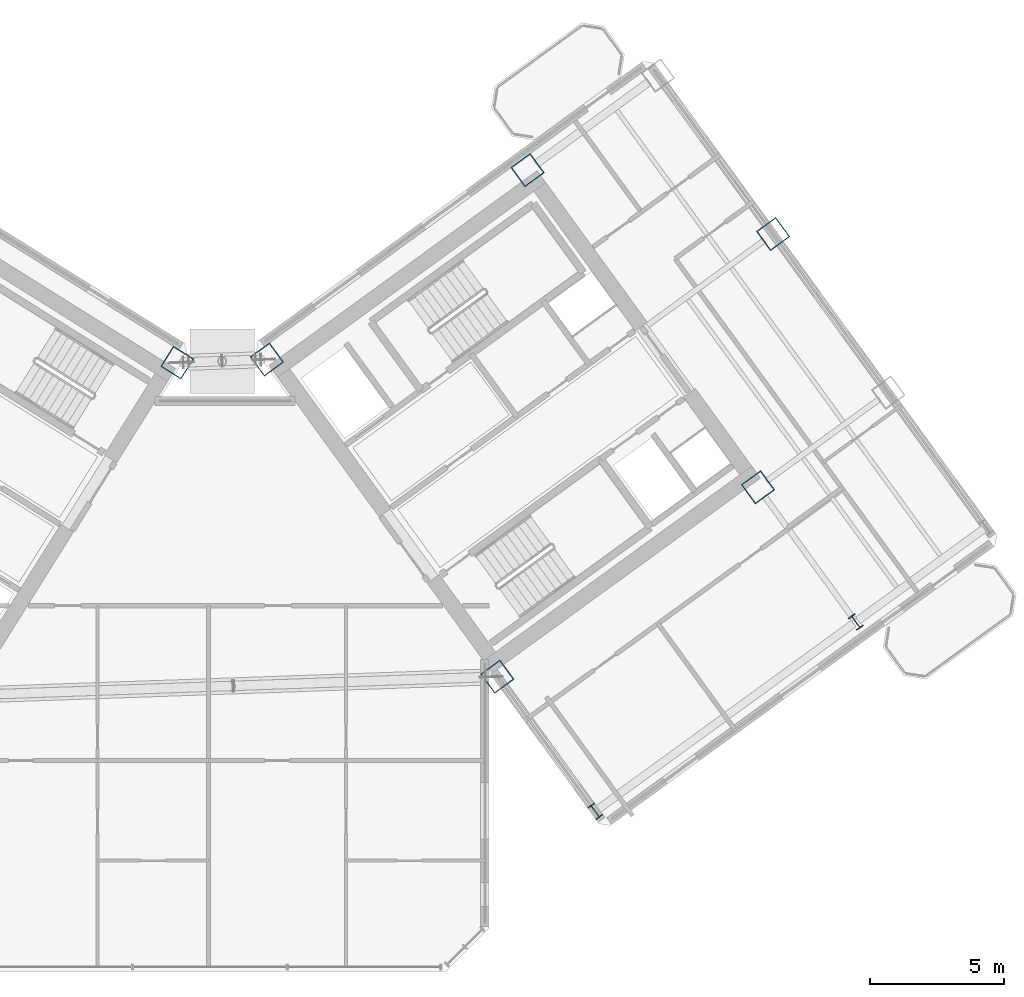
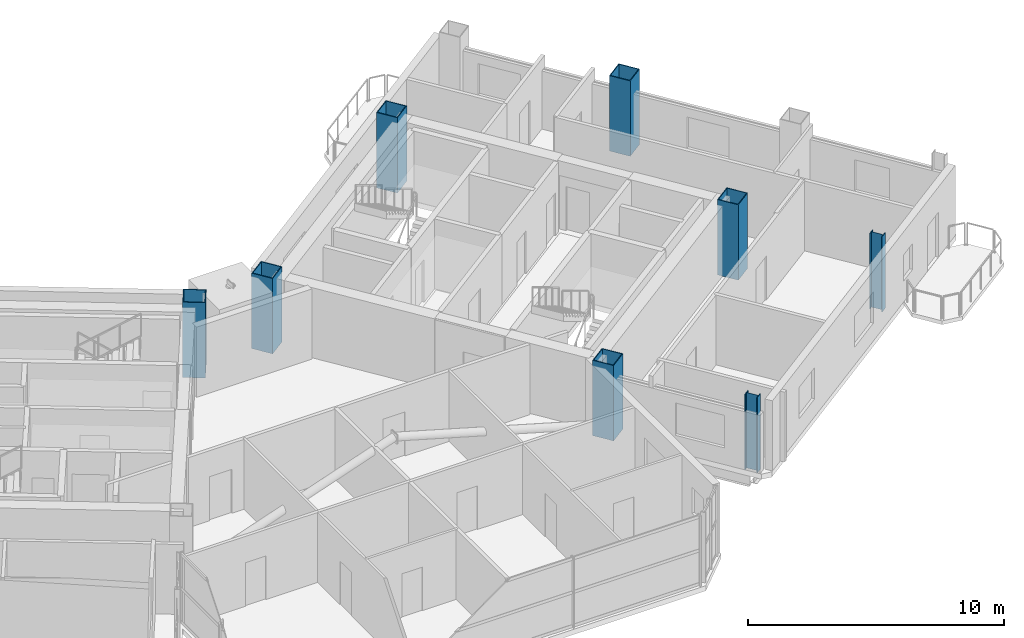
# One storey, part 2 of 29: 8 columns.
"""IFC4 building model written with IfcOpenShell, lengths in metres."""

from ifc_helpers import new_model, si_unit, direction, frame, origin, origin_2d, place, context, subcontext, project, spatial, hollow_rectangle, i_section, extrude, source, transform, mapped, material, material_profile, profile_set, type_object, element, save


model = new_model("IFC4")

# Units and contexts
model_context = context("Model", 3, precision=1e-05, world=origin(), true_north=direction((0.0, 1.0)))
body_context = subcontext(model_context, "Body", "Model", "MODEL_VIEW")
ifc_project = project(units=[si_unit("LENGTHUNIT", "METRE"), si_unit("AREAUNIT", "SQUARE_METRE"), si_unit("VOLUMEUNIT", "CUBIC_METRE"), si_unit("PLANEANGLEUNIT", "RADIAN"), si_unit("MASSUNIT", "GRAM", prefix="KILO")], contexts=[model_context])

# Site, building, storey
site_placement = place(None, origin())
site = spatial("IfcSite", under=ifc_project, at=site_placement, CompositionType="ELEMENT")
building_placement = place(site_placement, origin())
building = spatial("IfcBuilding", under=site, at=building_placement, Name="Tlacorven Tower", CompositionType="ELEMENT")
storey_placement = place(building_placement, frame((0.0, 0.0, 151.5)))
storey = spatial("IfcBuildingStorey", under=building, at=storey_placement, Name="L38", CompositionType="ELEMENT", Elevation=151.5)

# Columns
ifc_material = material(Name="Steel S460M", Category="steel")
ifc_material_profile_1 = material_profile(ifc_material, hollow_rectangle(XDim=0.89990234375, YDim=0.89990234375, WallThickness=0.035888671875, at=origin_2d()), Name="BOX 900X900X36")
ifc_profile_set_1 = profile_set([ifc_material_profile_1], Name="Steel S460M")
column_type_1 = type_object("IfcColumnType", Name="COL-TWR-S2", PredefinedType="COLUMN", material=ifc_profile_set_1)
shared_shape_1 = source(origin(), body_context, "Body", "SweptSolid", [
    extrude(hollow_rectangle(XDim=0.89990234375, YDim=0.89990234375, WallThickness=0.035888671875, at=origin_2d()), origin(), (0.0, 0.0, 1.0), 3.60009765625),
])
for number, where, z_axis, x_axis, name in (
    (1, (40.782958984375, 24.468505859375, 0.0), (0.0, 0.0, 1.0), (-0.848048096156, 0.529919264233, 0.0), "L38 column COL-L38-W1-1"),
    (2, (52.705322265625, 12.7734375, 0.0), (0.0, 0.0, 1.0), (0.809016994375, 0.587785252292, 0.0), "L38 column COL-L38-E1-2"),
    (3, (44.123779296875, 24.5849609375, 0.0), (0.0, 0.0, 1.0), (0.809016994375, 0.587785252292, 0.0), "L38 column COL-L38-E1-4"),
    (4, (62.41357421875, 19.826904296875, 0.0), (0.0, 0.0, 1.0), (0.809016994375, 0.587785252292, 0.0), "L38 column COL-L38-E3-2"),
    (5, (53.83203125, 31.638427734375, 0.0), (0.0, 0.0, 1.0), (0.809016994375, 0.587785252292, 0.0), "L38 column COL-L38-E3-4"),
    (6, (62.976806640625, 29.25927734375, 0.0), (0.0, 0.0, 1.0), (0.809016994375, 0.587785252292, 0.0), "L38 column COL-L38-E4-3"),
):
    element("IfcColumn", number, at=place(storey_placement, frame(where, z_axis=z_axis, x_axis=x_axis)), inside=storey, type_object=column_type_1, Name=name, PredefinedType="COLUMN", context=body_context, shape_type="MappedRepresentation", body=[
        mapped(shared_shape_1, transform((0.0, 0.0, 0.0), scale=1.0)),
    ])
ifc_material_profile_2 = material_profile(ifc_material, i_section(OverallWidth=0.300048828125, OverallDepth=0.550048828125, WebThickness=0.014892578125, FlangeThickness=0.029052734375, at=origin_2d()), Name="HEB 550")
ifc_profile_set_2 = profile_set([ifc_material_profile_2], Name="Steel S460M")
column_type_2 = type_object("IfcColumnType", Name="COL-TWR-P2", PredefinedType="COLUMN", material=ifc_profile_set_2)
shared_shape_2 = source(origin(), body_context, "Body", "SweptSolid", [
    extrude(i_section(OverallWidth=0.300048828125, OverallDepth=0.550048828125, WebThickness=0.014892578125, FlangeThickness=0.029052734375, at=origin_2d()), origin(), (0.0, 0.0, 1.0), 3.60009765625),
])
for number, where, z_axis, x_axis, name in (
    (7, (56.349609375, 7.757568359375, 0.0), (0.0, 0.0, 1.0), (0.809016994375, 0.587785252292, 0.0), "L38 column COL-L38-E1-1"),
    (8, (66.057861328125, 14.81103515625, 0.0), (0.0, 0.0, 1.0), (0.809016994375, 0.587785252292, 0.0), "L38 column COL-L38-E3-1"),
):
    element("IfcColumn", number, at=place(storey_placement, frame(where, z_axis=z_axis, x_axis=x_axis)), inside=storey, type_object=column_type_2, Name=name, PredefinedType="COLUMN", context=body_context, shape_type="MappedRepresentation", body=[
        mapped(shared_shape_2, transform((0.0, 0.0, 0.0), scale=1.0)),
    ])

save(model, "model.ifc")
